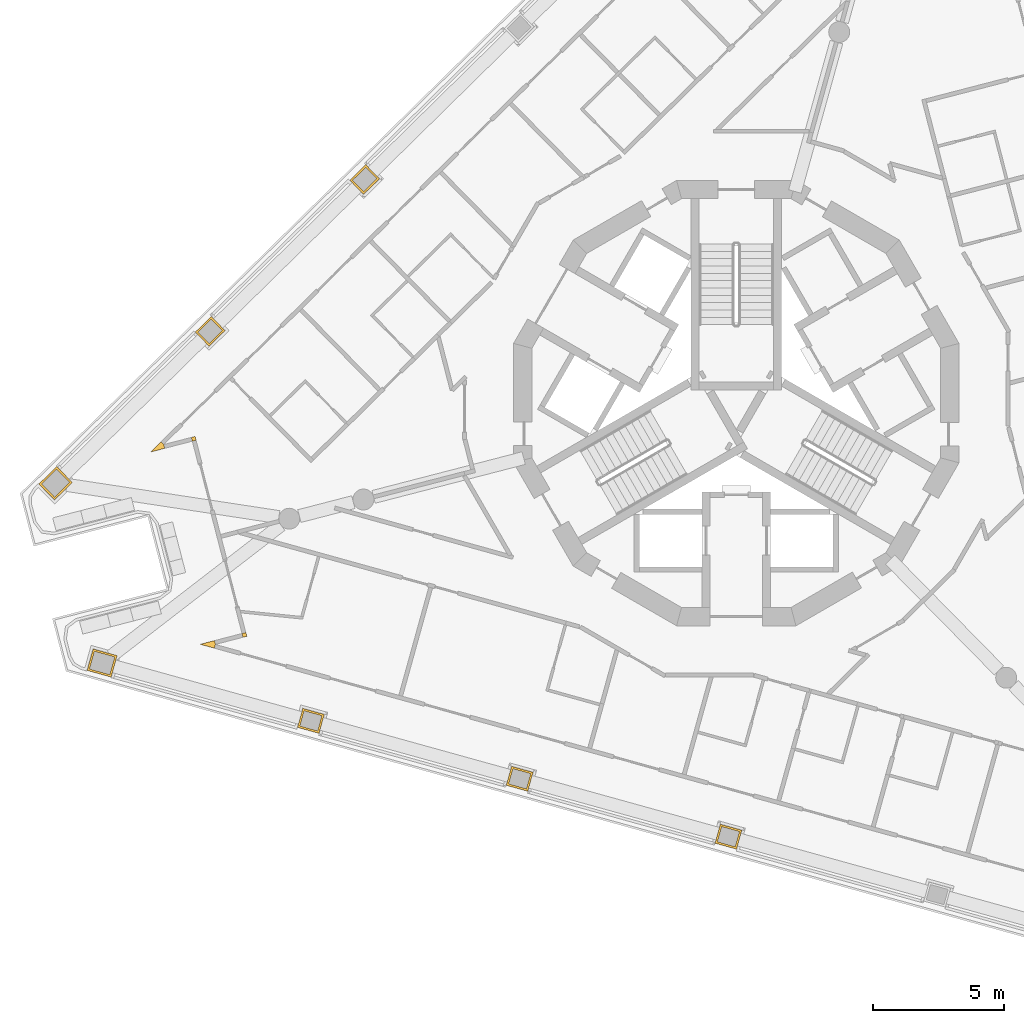
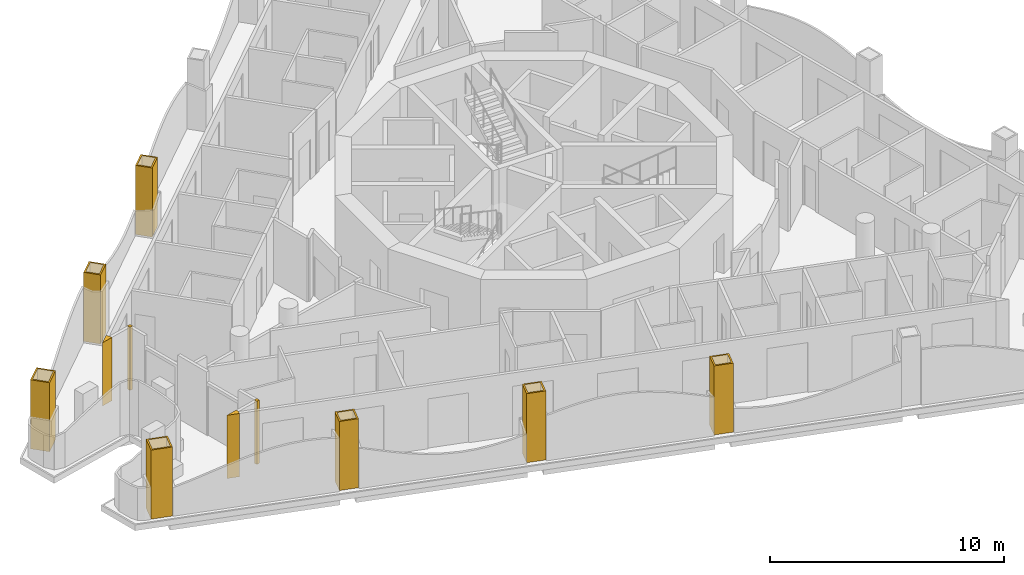
# One storey, part 9 of 14: 11 coverings.
"""IFC4 building model written with IfcOpenShell, lengths in metres."""

from ifc_helpers import new_model, si_unit, direction, frame, origin, place, context, subcontext, project, spatial, polyline, outline, extrude, material, layer, layer_set, type_object, element, save


model = new_model("IFC4")

# Units and contexts
model_context = context("Model", 3, precision=1e-05, world=origin(), true_north=direction((0.0, 1.0)))
body_context = subcontext(model_context, "Body", "Model", "MODEL_VIEW")
ifc_project = project(units=[si_unit("LENGTHUNIT", "METRE"), si_unit("AREAUNIT", "SQUARE_METRE"), si_unit("VOLUMEUNIT", "CUBIC_METRE"), si_unit("PLANEANGLEUNIT", "RADIAN"), si_unit("MASSUNIT", "GRAM", prefix="KILO")], contexts=[model_context])

# Site, building, storey
site_placement = place(None, origin())
site = spatial("IfcSite", under=ifc_project, at=site_placement, CompositionType="ELEMENT")
building_placement = place(site_placement, origin())
building = spatial("IfcBuilding", under=site, at=building_placement, Name="Trine Commons Tower", CompositionType="ELEMENT")
storey_placement = place(building_placement, frame((0.0, 0.0, 238.5)))
storey = spatial("IfcBuildingStorey", under=building, at=storey_placement, Name="L62", CompositionType="ELEMENT", Elevation=238.5)

# Coverings
ifc_material_1 = material(Name="Aluminium-framed insulated wall panel", Category="aluminium")
ifc_layer_1 = layer(ifc_material_1, 0.14990234375)
ifc_layer_set_1 = layer_set([ifc_layer_1], Name="Aluminium-framed insulated wall panel")
covering_type_1 = type_object("IfcCoveringType", Name="Glazing corner post, aluminium", PredefinedType="CLADDING", material=ifc_layer_set_1)
covering_1_placement = place(storey_placement, origin())
element("IfcCovering", 1, at=covering_1_placement, inside=storey, type_object=covering_type_1, Name="Glazing corner post 7-01", PredefinedType="CLADDING", context=body_context, shape_type="SweptSolid", body=[
    extrude(outline(polyline([(58.186279296875, 60.773193359375), (58.14892578125, 60.91845703125), (58.043701171875, 61.025390625), (57.644287109375, 60.63330078125), (58.186279296875, 60.773193359375)])), origin(), (0.0, 0.0, 1.0), 3.300048828125),
])
covering_2_placement = place(storey_placement, origin())
element("IfcCovering", 2, at=covering_2_placement, inside=storey, type_object=covering_type_1, Name="Glazing corner post 7-10", PredefinedType="CLADDING", context=body_context, shape_type="SweptSolid", body=[
    extrude(outline(polyline([(60.081787109375, 53.14501953125), (60.121826171875, 53.28955078125), (60.084228515625, 53.434814453125), (59.542236328125, 53.294677734375), (60.081787109375, 53.14501953125)])), origin(), (0.0, 0.0, 1.0), 3.300048828125),
])
covering_3_placement = place(storey_placement, origin())
element("IfcCovering", 3, at=covering_3_placement, inside=storey, type_object=covering_type_1, Name="Glazing corner post 7-11", PredefinedType="CLADDING", context=body_context, shape_type="SweptSolid", body=[
    extrude(outline(polyline([(61.135498046875, 53.70654296875), (61.135498046875, 53.70654296875), (61.173095703125, 53.561279296875), (61.318115234375, 53.598876953125), (61.28076171875, 53.744140625), (61.135498046875, 53.70654296875)])), origin(), (0.0, 0.0, 1.0), 3.300048828125),
])
covering_4_placement = place(storey_placement, origin())
element("IfcCovering", 4, at=covering_4_placement, inside=storey, type_object=covering_type_1, Name="Glazing corner post 7-12", PredefinedType="CLADDING", context=body_context, shape_type="SweptSolid", body=[
    extrude(outline(polyline([(59.199951171875, 61.1904296875), (59.237548828125, 61.045166015625), (59.3828125, 61.082763671875), (59.34521484375, 61.227783203125), (59.199951171875, 61.1904296875)])), origin(), (0.0, 0.0, 1.0), 3.300048828125),
])
ifc_material_2 = material(Name="Limestone, honed", Category="masonry")
ifc_layer_2 = layer(ifc_material_2, 0.074951171875)
ifc_layer_set_2 = layer_set([ifc_layer_2], Name="Limestone, honed")
covering_type_2 = type_object("IfcCoveringType", Name="Limestone column cladding 75", PredefinedType="CLADDING", material=ifc_layer_set_2)
covering_5_placement = place(storey_placement, origin())
element("IfcCovering", 5, at=covering_5_placement, inside=storey, type_object=covering_type_2, Name="Limestone pier cladding 7-03", PredefinedType="CLADDING", context=body_context, shape_type="SweptSolid", body=[
    extrude(outline(polyline([(79.3916015625, 46.42529296875), (79.19091796875, 45.70263671875), (80.010009765625, 45.4755859375), (80.210693359375, 46.1982421875), (79.3916015625, 46.42529296875)]), holes=[polyline([(79.443603515625, 46.3330078125), (79.283447265625, 45.7548828125), (79.9580078125, 45.56787109375), (80.1181640625, 46.14599609375), (79.443603515625, 46.3330078125)])]), origin(), (0.0, 0.0, 1.0), 3.60009765625),
])
covering_6_placement = place(storey_placement, origin())
element("IfcCovering", 6, at=covering_6_placement, inside=storey, type_object=covering_type_2, Name="Limestone pier cladding 7-04", PredefinedType="CLADDING", context=body_context, shape_type="SweptSolid", body=[
    extrude(outline(polyline([(71.423583984375, 48.635009765625), (71.222900390625, 47.912353515625), (72.0419921875, 47.685302734375), (72.24267578125, 48.407958984375), (71.423583984375, 48.635009765625)]), holes=[polyline([(71.4755859375, 48.542724609375), (71.3154296875, 47.964599609375), (71.989990234375, 47.777587890625), (72.150146484375, 48.355712890625), (71.4755859375, 48.542724609375)])]), origin(), (0.0, 0.0, 1.0), 3.60009765625),
])
covering_7_placement = place(storey_placement, origin())
element("IfcCovering", 7, at=covering_7_placement, inside=storey, type_object=covering_type_2, Name="Limestone pier cladding 7-05", PredefinedType="CLADDING", context=body_context, shape_type="SweptSolid", body=[
    extrude(outline(polyline([(63.45556640625, 50.8447265625), (63.2548828125, 50.1220703125), (64.07421875, 49.89501953125), (64.274658203125, 50.61767578125), (63.45556640625, 50.8447265625)]), holes=[polyline([(63.5078125, 50.75244140625), (63.347412109375, 50.17431640625), (64.02197265625, 49.9873046875), (64.18212890625, 50.5654296875), (63.5078125, 50.75244140625)])]), origin(), (0.0, 0.0, 1.0), 3.60009765625),
])
covering_8_placement = place(storey_placement, origin())
element("IfcCovering", 8, at=covering_8_placement, inside=storey, type_object=covering_type_2, Name="Limestone pier cladding 7-06", PredefinedType="CLADDING", context=body_context, shape_type="SweptSolid", body=[
    extrude(outline(polyline([(55.45263671875, 53.115966796875), (55.2255859375, 52.296875), (56.140869140625, 52.04296875), (56.3681640625, 52.862060546875), (55.45263671875, 53.115966796875)]), holes=[polyline([(55.5048828125, 53.023681640625), (55.31787109375, 52.34912109375), (56.088623046875, 52.13525390625), (56.27587890625, 52.809814453125), (55.5048828125, 53.023681640625)])]), origin(), (0.0, 0.0, 1.0), 3.60009765625),
])
covering_9_placement = place(storey_placement, origin())
element("IfcCovering", 9, at=covering_9_placement, inside=storey, type_object=covering_type_2, Name="Limestone pier cladding 7-07", PredefinedType="CLADDING", context=body_context, shape_type="SweptSolid", body=[
    extrude(outline(polyline([(54.65869140625, 59.472412109375), (54.062744140625, 60.078857421875), (53.38525390625, 59.412841796875), (53.98095703125, 58.806640625), (54.65869140625, 59.472412109375)]), holes=[polyline([(54.552490234375, 59.473388671875), (54.06201171875, 59.97265625), (53.4912109375, 59.412109375), (53.98193359375, 58.91259765625), (54.552490234375, 59.473388671875)])]), origin(), (0.0, 0.0, 1.0), 3.60009765625),
])
covering_10_placement = place(storey_placement, origin())
element("IfcCovering", 10, at=covering_10_placement, inside=storey, type_object=covering_type_2, Name="Limestone pier cladding 7-08", PredefinedType="CLADDING", context=body_context, shape_type="SweptSolid", body=[
    extrude(outline(polyline([(60.485595703125, 65.268798828125), (59.959716796875, 65.8037109375), (59.353515625, 65.2080078125), (59.879150390625, 64.6728515625), (60.485595703125, 65.268798828125)]), holes=[polyline([(60.37939453125, 65.26953125), (59.958984375, 65.697509765625), (59.459716796875, 65.20703125), (59.880126953125, 64.779052734375), (60.37939453125, 65.26953125)])]), origin(), (0.0, 0.0, 1.0), 3.60009765625),
])
covering_11_placement = place(storey_placement, origin())
element("IfcCovering", 11, at=covering_11_placement, inside=storey, type_object=covering_type_2, Name="Limestone pier cladding 7-09", PredefinedType="CLADDING", context=body_context, shape_type="SweptSolid", body=[
    extrude(outline(polyline([(66.38330078125, 71.064208984375), (65.857421875, 71.599365234375), (65.251220703125, 71.00341796875), (65.77685546875, 70.468505859375), (66.38330078125, 71.064208984375)]), holes=[polyline([(66.277099609375, 71.065185546875), (65.856689453125, 71.4931640625), (65.357421875, 71.002685546875), (65.77783203125, 70.57470703125), (66.277099609375, 71.065185546875)])]), origin(), (0.0, 0.0, 1.0), 3.60009765625),
])

save(model, "model.ifc")
